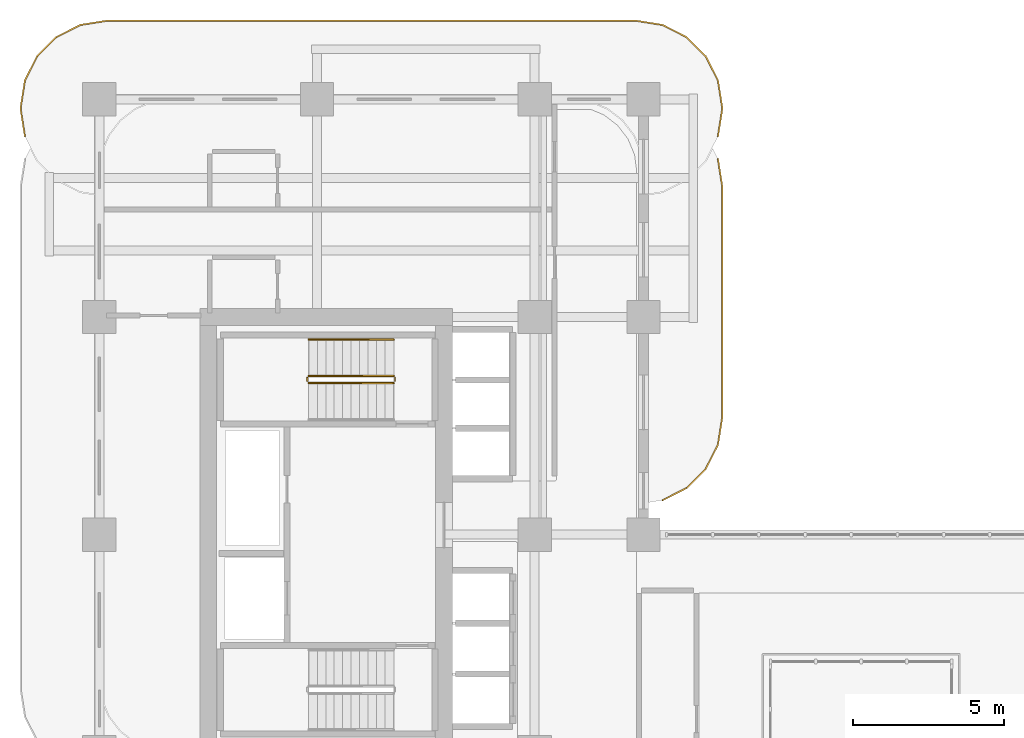
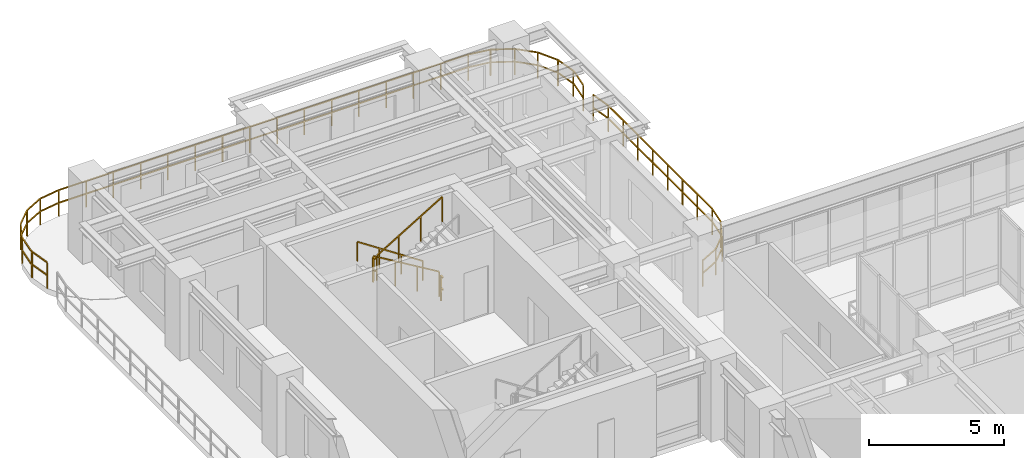
# One storey, part 22 of 22: 7 railings.
"""IFC4 building model written with IfcOpenShell, lengths in metres."""

from ifc_helpers import new_model, si_unit, derived_unit, direction, frame, origin, origin_2d, place, context, subcontext, project, spatial, rectangle, extrude, material, type_object, element, save


model = new_model("IFC4")

# Units and contexts
model_context = context("Model", 3, precision=1e-05, world=origin(), true_north=direction((0.0, 1.0)))
body_context = subcontext(model_context, "Body", "Model", "MODEL_VIEW")
ifc_project = project(units=[si_unit("LENGTHUNIT", "METRE"), si_unit("AREAUNIT", "SQUARE_METRE"), si_unit("VOLUMEUNIT", "CUBIC_METRE"), si_unit("PLANEANGLEUNIT", "RADIAN"), si_unit("MASSUNIT", "GRAM", prefix="KILO"), si_unit("THERMODYNAMICTEMPERATUREUNIT", "KELVIN"), si_unit("POWERUNIT", "WATT"), derived_unit("THERMALTRANSMITTANCEUNIT", [(si_unit("POWERUNIT", "WATT"), 1), (si_unit("AREAUNIT", "SQUARE_METRE"), -1), (si_unit("THERMODYNAMICTEMPERATUREUNIT", "KELVIN"), -1)])], contexts=[model_context])

# Site, building, storey
site_placement = place(None, origin())
site = spatial("IfcSite", under=ifc_project, at=site_placement, CompositionType="ELEMENT")
building_placement = place(site_placement, origin())
building = spatial("IfcBuilding", under=site, at=building_placement, Name="Zahravan Archway Hotel and Residences", CompositionType="ELEMENT")
storey_placement = place(building_placement, frame((0.0, 0.0, 84.199951171875)))
storey = spatial("IfcBuildingStorey", under=building, at=storey_placement, Name="L20", CompositionType="ELEMENT", Elevation=84.199951171875)

# Railings
ifc_material_1 = material(Name="Bronze & Laminated Glass Balustrade", Category="glass")
railing_type_1 = type_object("IfcRailingType", Name="RL-BAL-1200", PredefinedType="BALUSTRADE", material=ifc_material_1)
railing_1_placement = place(storey_placement, frame((-2.46044921875, 45.5693359375, 0.0)))
element("IfcRailing", 1, at=railing_1_placement, inside=storey, type_object=railing_type_1, Name="L20 Balustrade RL-SLB-BAL-L20-NB-1", PredefinedType="BALUSTRADE", context=body_context, shape_type="SweptSolid", body=[
    extrude(rectangle(XDim=0.048095703125, YDim=0.048095703125, at=origin_2d()), frame((0.0, 0.0, 1.17578125), z_axis=(-0.156623399917, 0.987658397726, 0.0), x_axis=(-0.987658397726, -0.156623399917, 0.0)), (0.0, 0.0, 1.0), 0.8916015625),
    extrude(rectangle(XDim=0.048095703125, YDim=0.048095703125, at=origin_2d()), frame((0.0, 0.0, 0.60009765625), z_axis=(-0.156623399917, 0.987658397726, 0.0), x_axis=(-0.987658397726, -0.156623399917, 0.0)), (0.0, 0.0, 1.0), 0.8916015625),
    extrude(rectangle(XDim=0.048095703125, YDim=0.048095703125, at=origin_2d()), frame((-0.1396484375, 0.880615234375, 1.17578125), z_axis=(0.0, 1.0, 0.0), x_axis=(-1.0, 0.0, 0.0)), (0.0, 0.0, 1.0), 0.10009765625),
    extrude(rectangle(XDim=0.048095703125, YDim=0.048095703125, at=origin_2d()), frame((-0.1396484375, 0.880615234375, 0.60009765625), z_axis=(0.0, 1.0, 0.0), x_axis=(-1.0, 0.0, 0.0)), (0.0, 0.0, 1.0), 0.10009765625),
    extrude(rectangle(XDim=0.048095703125, YDim=0.048095703125, at=origin_2d()), frame((-0.1396484375, 0.980712890625, 1.17578125), z_axis=(0.156623399917, 0.987658397726, 0.0), x_axis=(-0.987658397726, 0.156623399917, 0.0)), (0.0, 0.0, 1.0), 0.8916015625),
    extrude(rectangle(XDim=0.048095703125, YDim=0.048095703125, at=origin_2d()), frame((-0.1396484375, 0.980712890625, 0.60009765625), z_axis=(0.156623399917, 0.987658397726, 0.0), x_axis=(-0.987658397726, 0.156623399917, 0.0)), (0.0, 0.0, 1.0), 0.8916015625),
    extrude(rectangle(XDim=0.048095703125, YDim=0.048095703125, at=origin_2d()), frame((0.0, 1.861328125, 1.17578125), z_axis=(0.453991409995, 0.891006060389, 0.0), x_axis=(-0.891006060389, 0.453991409995, 0.0)), (0.0, 0.0, 1.0), 0.8916015625),
    extrude(rectangle(XDim=0.048095703125, YDim=0.048095703125, at=origin_2d()), frame((0.0, 1.861328125, 0.60009765625), z_axis=(0.453991409995, 0.891006060389, 0.0), x_axis=(-0.891006060389, 0.453991409995, 0.0)), (0.0, 0.0, 1.0), 0.8916015625),
    extrude(rectangle(XDim=0.048095703125, YDim=0.048095703125, at=origin_2d()), frame((0.40478515625, 2.65576171875, 1.17578125), z_axis=(0.706969864397, 0.70724367147, 0.0), x_axis=(-0.70724367147, 0.706969864397, 0.0)), (0.0, 0.0, 1.0), 0.8916015625),
    extrude(rectangle(XDim=0.048095703125, YDim=0.048095703125, at=origin_2d()), frame((0.40478515625, 2.65576171875, 0.60009765625), z_axis=(0.706969864397, 0.70724367147, 0.0), x_axis=(-0.70724367147, 0.706969864397, 0.0)), (0.0, 0.0, 1.0), 0.8916015625),
    extrude(rectangle(XDim=0.048095703125, YDim=0.048095703125, at=origin_2d()), frame((1.03515625, 3.286376953125, 1.17578125), z_axis=(0.891062476022, 0.45388067135, 0.0), x_axis=(-0.45388067135, 0.891062476022, 0.0)), (0.0, 0.0, 1.0), 0.891845703125),
    extrude(rectangle(XDim=0.048095703125, YDim=0.048095703125, at=origin_2d()), frame((1.03515625, 3.286376953125, 0.60009765625), z_axis=(0.891062476022, 0.45388067135, 0.0), x_axis=(-0.45388067135, 0.891062476022, 0.0)), (0.0, 0.0, 1.0), 0.891845703125),
    extrude(rectangle(XDim=0.048095703125, YDim=0.048095703125, at=origin_2d()), frame((1.829833984375, 3.691162109375, 1.17578125), z_axis=(0.987700720307, 0.156356282588, 0.0), x_axis=(-0.156356282588, 0.987700720307, 0.0)), (0.0, 0.0, 1.0), 0.8916015625),
    extrude(rectangle(XDim=0.048095703125, YDim=0.048095703125, at=origin_2d()), frame((1.829833984375, 3.691162109375, 0.60009765625), z_axis=(0.987700720307, 0.156356282588, 0.0), x_axis=(-0.156356282588, 0.987700720307, 0.0)), (0.0, 0.0, 1.0), 0.8916015625),
    extrude(rectangle(XDim=0.048095703125, YDim=0.048095703125, at=origin_2d()), frame((2.71044921875, 3.83056640625, 1.17578125), z_axis=(1.0, 0.0, 0.0), x_axis=(0.0, 1.0, 0.0)), (0.0, 0.0, 1.0), 17.5),
    extrude(rectangle(XDim=0.048095703125, YDim=0.048095703125, at=origin_2d()), frame((2.71044921875, 3.83056640625, 0.60009765625), z_axis=(1.0, 0.0, 0.0), x_axis=(0.0, 1.0, 0.0)), (0.0, 0.0, 1.0), 17.5),
    extrude(rectangle(XDim=0.048095703125, YDim=0.048095703125, at=origin_2d()), frame((20.21044921875, 3.83056640625, 1.17578125), z_axis=(0.987700720307, -0.156356282588, 0.0), x_axis=(0.156356282588, 0.987700720307, 0.0)), (0.0, 0.0, 1.0), 0.8916015625),
    extrude(rectangle(XDim=0.048095703125, YDim=0.048095703125, at=origin_2d()), frame((20.21044921875, 3.83056640625, 0.60009765625), z_axis=(0.987700720307, -0.156356282588, 0.0), x_axis=(0.156356282588, 0.987700720307, 0.0)), (0.0, 0.0, 1.0), 0.8916015625),
    extrude(rectangle(XDim=0.048095703125, YDim=0.048095703125, at=origin_2d()), frame((21.091064453125, 3.691162109375, 1.17578125), z_axis=(0.891062476022, -0.45388067135, 0.0), x_axis=(0.45388067135, 0.891062476022, 0.0)), (0.0, 0.0, 1.0), 0.891845703125),
    extrude(rectangle(XDim=0.048095703125, YDim=0.048095703125, at=origin_2d()), frame((21.091064453125, 3.691162109375, 0.60009765625), z_axis=(0.891062476022, -0.45388067135, 0.0), x_axis=(0.45388067135, 0.891062476022, 0.0)), (0.0, 0.0, 1.0), 0.891845703125),
    extrude(rectangle(XDim=0.048095703125, YDim=0.048095703125, at=origin_2d()), frame((21.8857421875, 3.286376953125, 1.17578125), z_axis=(0.706969864397, -0.70724367147, 0.0), x_axis=(0.70724367147, 0.706969864397, 0.0)), (0.0, 0.0, 1.0), 0.8916015625),
    extrude(rectangle(XDim=0.048095703125, YDim=0.048095703125, at=origin_2d()), frame((21.8857421875, 3.286376953125, 0.60009765625), z_axis=(0.706969864397, -0.70724367147, 0.0), x_axis=(0.70724367147, 0.706969864397, 0.0)), (0.0, 0.0, 1.0), 0.8916015625),
    extrude(rectangle(XDim=0.048095703125, YDim=0.048095703125, at=origin_2d()), frame((22.51611328125, 2.65576171875, 1.17578125), z_axis=(0.453991409995, -0.891006060389, 0.0), x_axis=(0.891006060389, 0.453991409995, 0.0)), (0.0, 0.0, 1.0), 0.8916015625),
    extrude(rectangle(XDim=0.048095703125, YDim=0.048095703125, at=origin_2d()), frame((22.51611328125, 2.65576171875, 0.60009765625), z_axis=(0.453991409995, -0.891006060389, 0.0), x_axis=(0.891006060389, 0.453991409995, 0.0)), (0.0, 0.0, 1.0), 0.8916015625),
    extrude(rectangle(XDim=0.048095703125, YDim=0.048095703125, at=origin_2d()), frame((22.9208984375, 1.861328125, 1.17578125), z_axis=(0.156623399917, -0.987658397726, 0.0), x_axis=(0.987658397726, 0.156623399917, 0.0)), (0.0, 0.0, 1.0), 0.8916015625),
    extrude(rectangle(XDim=0.048095703125, YDim=0.048095703125, at=origin_2d()), frame((22.9208984375, 1.861328125, 0.60009765625), z_axis=(0.156623399917, -0.987658397726, 0.0), x_axis=(0.987658397726, 0.156623399917, 0.0)), (0.0, 0.0, 1.0), 0.8916015625),
    extrude(rectangle(XDim=0.048095703125, YDim=0.048095703125, at=origin_2d()), frame((23.060546875, 0.980712890625, 1.17578125), z_axis=(0.0, -1.0, 0.0), x_axis=(1.0, 0.0, 0.0)), (0.0, 0.0, 1.0), 0.10009765625),
    extrude(rectangle(XDim=0.048095703125, YDim=0.048095703125, at=origin_2d()), frame((23.060546875, 0.980712890625, 0.60009765625), z_axis=(0.0, -1.0, 0.0), x_axis=(1.0, 0.0, 0.0)), (0.0, 0.0, 1.0), 0.10009765625),
    extrude(rectangle(XDim=0.048095703125, YDim=0.048095703125, at=origin_2d()), frame((23.060546875, 0.880615234375, 1.17578125), z_axis=(-0.156623399917, -0.987658397726, 0.0), x_axis=(0.987658397726, -0.156623399917, 0.0)), (0.0, 0.0, 1.0), 0.8916015625),
    extrude(rectangle(XDim=0.048095703125, YDim=0.048095703125, at=origin_2d()), frame((23.060546875, 0.880615234375, 0.60009765625), z_axis=(-0.156623399917, -0.987658397726, 0.0), x_axis=(0.987658397726, -0.156623399917, 0.0)), (0.0, 0.0, 1.0), 0.8916015625),
    extrude(rectangle(XDim=0.0419921875, YDim=0.0419921875, at=origin_2d()), origin(), (0.0, 0.0, 1.0), 1.15185546875),
    extrude(rectangle(XDim=0.0419921875, YDim=0.0419921875, at=origin_2d()), frame((-0.1396484375, 0.880615234375, 0.0)), (0.0, 0.0, 1.0), 1.15185546875),
    extrude(rectangle(XDim=0.0419921875, YDim=0.0419921875, at=origin_2d()), frame((0.0, 1.861328125, 0.0)), (0.0, 0.0, 1.0), 1.15185546875),
    extrude(rectangle(XDim=0.0419921875, YDim=0.0419921875, at=origin_2d()), frame((0.40478515625, 2.65576171875, 0.0)), (0.0, 0.0, 1.0), 1.15185546875),
    extrude(rectangle(XDim=0.0419921875, YDim=0.0419921875, at=origin_2d()), frame((1.03515625, 3.286376953125, 0.0)), (0.0, 0.0, 1.0), 1.15185546875),
    extrude(rectangle(XDim=0.0419921875, YDim=0.0419921875, at=origin_2d()), frame((1.829833984375, 3.691162109375, 0.0)), (0.0, 0.0, 1.0), 1.15185546875),
    extrude(rectangle(XDim=0.0419921875, YDim=0.0419921875, at=origin_2d()), frame((2.71044921875, 3.83056640625, 0.0)), (0.0, 0.0, 1.0), 1.15185546875),
    extrude(rectangle(XDim=0.0419921875, YDim=0.0419921875, at=origin_2d()), frame((3.877197265625, 3.83056640625, 0.0)), (0.0, 0.0, 1.0), 1.15185546875),
    extrude(rectangle(XDim=0.0419921875, YDim=0.0419921875, at=origin_2d()), frame((5.043701171875, 3.83056640625, 0.0)), (0.0, 0.0, 1.0), 1.15185546875),
    extrude(rectangle(XDim=0.0419921875, YDim=0.0419921875, at=origin_2d()), frame((6.21044921875, 3.83056640625, 0.0)), (0.0, 0.0, 1.0), 1.15185546875),
    extrude(rectangle(XDim=0.0419921875, YDim=0.0419921875, at=origin_2d()), frame((7.377197265625, 3.83056640625, 0.0)), (0.0, 0.0, 1.0), 1.15185546875),
    extrude(rectangle(XDim=0.0419921875, YDim=0.0419921875, at=origin_2d()), frame((8.543701171875, 3.83056640625, 0.0)), (0.0, 0.0, 1.0), 1.15185546875),
    extrude(rectangle(XDim=0.0419921875, YDim=0.0419921875, at=origin_2d()), frame((9.71044921875, 3.83056640625, 0.0)), (0.0, 0.0, 1.0), 1.15185546875),
    extrude(rectangle(XDim=0.0419921875, YDim=0.0419921875, at=origin_2d()), frame((10.877197265625, 3.83056640625, 0.0)), (0.0, 0.0, 1.0), 1.15185546875),
    extrude(rectangle(XDim=0.0419921875, YDim=0.0419921875, at=origin_2d()), frame((12.043701171875, 3.83056640625, 0.0)), (0.0, 0.0, 1.0), 1.15185546875),
    extrude(rectangle(XDim=0.0419921875, YDim=0.0419921875, at=origin_2d()), frame((13.21044921875, 3.83056640625, 0.0)), (0.0, 0.0, 1.0), 1.15185546875),
    extrude(rectangle(XDim=0.0419921875, YDim=0.0419921875, at=origin_2d()), frame((14.377197265625, 3.83056640625, 0.0)), (0.0, 0.0, 1.0), 1.15185546875),
    extrude(rectangle(XDim=0.0419921875, YDim=0.0419921875, at=origin_2d()), frame((15.543701171875, 3.83056640625, 0.0)), (0.0, 0.0, 1.0), 1.15185546875),
    extrude(rectangle(XDim=0.0419921875, YDim=0.0419921875, at=origin_2d()), frame((16.71044921875, 3.83056640625, 0.0)), (0.0, 0.0, 1.0), 1.15185546875),
    extrude(rectangle(XDim=0.0419921875, YDim=0.0419921875, at=origin_2d()), frame((17.877197265625, 3.83056640625, 0.0)), (0.0, 0.0, 1.0), 1.15185546875),
    extrude(rectangle(XDim=0.0419921875, YDim=0.0419921875, at=origin_2d()), frame((19.043701171875, 3.83056640625, 0.0)), (0.0, 0.0, 1.0), 1.15185546875),
    extrude(rectangle(XDim=0.0419921875, YDim=0.0419921875, at=origin_2d()), frame((20.21044921875, 3.83056640625, 0.0)), (0.0, 0.0, 1.0), 1.15185546875),
    extrude(rectangle(XDim=0.0419921875, YDim=0.0419921875, at=origin_2d()), frame((21.091064453125, 3.691162109375, 0.0)), (0.0, 0.0, 1.0), 1.15185546875),
    extrude(rectangle(XDim=0.0419921875, YDim=0.0419921875, at=origin_2d()), frame((21.8857421875, 3.286376953125, 0.0)), (0.0, 0.0, 1.0), 1.15185546875),
    extrude(rectangle(XDim=0.0419921875, YDim=0.0419921875, at=origin_2d()), frame((22.51611328125, 2.65576171875, 0.0)), (0.0, 0.0, 1.0), 1.15185546875),
    extrude(rectangle(XDim=0.0419921875, YDim=0.0419921875, at=origin_2d()), frame((22.9208984375, 1.861328125, 0.0)), (0.0, 0.0, 1.0), 1.15185546875),
    extrude(rectangle(XDim=0.0419921875, YDim=0.0419921875, at=origin_2d()), frame((23.060546875, 0.980712890625, 0.0)), (0.0, 0.0, 1.0), 1.15185546875),
    extrude(rectangle(XDim=0.0419921875, YDim=0.0419921875, at=origin_2d()), frame((22.9208984375, 0.0, 0.0)), (0.0, 0.0, 1.0), 1.15185546875),
])
railing_2_placement = place(storey_placement, frame((20.46044921875, 44.830810546875, 0.0)))
element("IfcRailing", 2, at=railing_2_placement, inside=storey, type_object=railing_type_1, Name="L20 Balustrade RL-SLB-BAL-L20-EB-1", PredefinedType="BALUSTRADE", context=body_context, shape_type="SweptSolid", body=[
    extrude(rectangle(XDim=0.048095703125, YDim=0.048095703125, at=origin_2d()), frame((0.0, 0.0, 1.17578125), z_axis=(0.156581054338, -0.98766511198, 0.0), x_axis=(0.98766511198, 0.156581054338, 0.0)), (0.0, 0.0, 1.0), 0.891845703125),
    extrude(rectangle(XDim=0.048095703125, YDim=0.048095703125, at=origin_2d()), frame((0.0, 0.0, 0.60009765625), z_axis=(0.156581054338, -0.98766511198, 0.0), x_axis=(0.98766511198, 0.156581054338, 0.0)), (0.0, 0.0, 1.0), 0.891845703125),
    extrude(rectangle(XDim=0.048095703125, YDim=0.048095703125, at=origin_2d()), frame((0.1396484375, -0.880859375, 1.17578125), z_axis=(0.0, -1.0, 0.0), x_axis=(1.0, 0.0, 0.0)), (0.0, 0.0, 1.0), 7.699951171875),
    extrude(rectangle(XDim=0.048095703125, YDim=0.048095703125, at=origin_2d()), frame((0.1396484375, -0.880859375, 0.60009765625), z_axis=(0.0, -1.0, 0.0), x_axis=(1.0, 0.0, 0.0)), (0.0, 0.0, 1.0), 7.699951171875),
    extrude(rectangle(XDim=0.048095703125, YDim=0.048095703125, at=origin_2d()), frame((0.1396484375, -8.580810546875, 1.17578125), z_axis=(-0.156623399917, -0.987658397726, 0.0), x_axis=(0.987658397726, -0.156623399917, 0.0)), (0.0, 0.0, 1.0), 0.8916015625),
    extrude(rectangle(XDim=0.048095703125, YDim=0.048095703125, at=origin_2d()), frame((0.1396484375, -8.580810546875, 0.60009765625), z_axis=(-0.156623399917, -0.987658397726, 0.0), x_axis=(0.987658397726, -0.156623399917, 0.0)), (0.0, 0.0, 1.0), 0.8916015625),
    extrude(rectangle(XDim=0.048095703125, YDim=0.048095703125, at=origin_2d()), frame((0.0, -9.46142578125, 1.17578125), z_axis=(-0.45388067135, -0.891062476022, 0.0), x_axis=(0.891062476022, -0.45388067135, 0.0)), (0.0, 0.0, 1.0), 0.891845703125),
    extrude(rectangle(XDim=0.048095703125, YDim=0.048095703125, at=origin_2d()), frame((0.0, -9.46142578125, 0.60009765625), z_axis=(-0.45388067135, -0.891062476022, 0.0), x_axis=(0.891062476022, -0.45388067135, 0.0)), (0.0, 0.0, 1.0), 0.891845703125),
    extrude(rectangle(XDim=0.048095703125, YDim=0.048095703125, at=origin_2d()), frame((-0.40478515625, -10.256103515625, 1.17578125), z_axis=(-0.707106781187, -0.707106781187, 0.0), x_axis=(0.707106781187, -0.707106781187, 0.0)), (0.0, 0.0, 1.0), 0.891357421875),
    extrude(rectangle(XDim=0.048095703125, YDim=0.048095703125, at=origin_2d()), frame((-0.40478515625, -10.256103515625, 0.60009765625), z_axis=(-0.707106781187, -0.707106781187, 0.0), x_axis=(0.707106781187, -0.707106781187, 0.0)), (0.0, 0.0, 1.0), 0.891357421875),
    extrude(rectangle(XDim=0.048095703125, YDim=0.048095703125, at=origin_2d()), frame((-1.03515625, -10.886474609375, 1.17578125), z_axis=(-0.891062476022, -0.45388067135, 0.0), x_axis=(0.45388067135, -0.891062476022, 0.0)), (0.0, 0.0, 1.0), 0.891845703125),
    extrude(rectangle(XDim=0.048095703125, YDim=0.048095703125, at=origin_2d()), frame((-1.03515625, -10.886474609375, 0.60009765625), z_axis=(-0.891062476022, -0.45388067135, 0.0), x_axis=(0.45388067135, -0.891062476022, 0.0)), (0.0, 0.0, 1.0), 0.891845703125),
    extrude(rectangle(XDim=0.0419921875, YDim=0.0419921875, at=origin_2d()), origin(), (0.0, 0.0, 1.0), 1.15185546875),
    extrude(rectangle(XDim=0.0419921875, YDim=0.0419921875, at=origin_2d()), frame((0.1396484375, -0.880859375, 0.0)), (0.0, 0.0, 1.0), 1.15185546875),
    extrude(rectangle(XDim=0.0419921875, YDim=0.0419921875, at=origin_2d()), frame((0.1396484375, -1.98095703125, 0.0)), (0.0, 0.0, 1.0), 1.15185546875),
    extrude(rectangle(XDim=0.0419921875, YDim=0.0419921875, at=origin_2d()), frame((0.1396484375, -3.080810546875, 0.0)), (0.0, 0.0, 1.0), 1.15185546875),
    extrude(rectangle(XDim=0.0419921875, YDim=0.0419921875, at=origin_2d()), frame((0.1396484375, -4.180908203125, 0.0)), (0.0, 0.0, 1.0), 1.15185546875),
    extrude(rectangle(XDim=0.0419921875, YDim=0.0419921875, at=origin_2d()), frame((0.1396484375, -5.28076171875, 0.0)), (0.0, 0.0, 1.0), 1.15185546875),
    extrude(rectangle(XDim=0.0419921875, YDim=0.0419921875, at=origin_2d()), frame((0.1396484375, -6.380859375, 0.0)), (0.0, 0.0, 1.0), 1.15185546875),
    extrude(rectangle(XDim=0.0419921875, YDim=0.0419921875, at=origin_2d()), frame((0.1396484375, -7.480712890625, 0.0)), (0.0, 0.0, 1.0), 1.15185546875),
    extrude(rectangle(XDim=0.0419921875, YDim=0.0419921875, at=origin_2d()), frame((0.1396484375, -8.580810546875, 0.0)), (0.0, 0.0, 1.0), 1.15185546875),
    extrude(rectangle(XDim=0.0419921875, YDim=0.0419921875, at=origin_2d()), frame((0.0, -9.46142578125, 0.0)), (0.0, 0.0, 1.0), 1.15185546875),
    extrude(rectangle(XDim=0.0419921875, YDim=0.0419921875, at=origin_2d()), frame((-0.40478515625, -10.256103515625, 0.0)), (0.0, 0.0, 1.0), 1.15185546875),
    extrude(rectangle(XDim=0.0419921875, YDim=0.0419921875, at=origin_2d()), frame((-1.03515625, -10.886474609375, 0.0)), (0.0, 0.0, 1.0), 1.15185546875),
    extrude(rectangle(XDim=0.0419921875, YDim=0.0419921875, at=origin_2d()), frame((-1.829833984375, -11.291259765625, 0.0)), (0.0, 0.0, 1.0), 1.15185546875),
])
ifc_material_2 = material(Name="Painted Tubular Steel", Category="steel")
railing_type_2 = type_object("IfcRailingType", Name="RL-STG-1150", PredefinedType="GUARDRAIL", material=ifc_material_2)
railing_3_placement = place(storey_placement, frame((9.72998046875, 37.64990234375, 0.168212890625)))
element("IfcRailing", 3, at=railing_3_placement, inside=storey, type_object=railing_type_2, Name="L20 ST-B2 stair guard 1", PredefinedType="GUARDRAIL", context=body_context, shape_type="SweptSolid", body=[
    extrude(rectangle(XDim=0.048095703125, YDim=0.048095703125, at=origin_2d()), frame((0.0, 0.0, 1.1259765625), z_axis=(-0.857242210791, 0.0, 0.514913383045), x_axis=(0.0, -1.0, 0.0)), (0.0, 0.0, 1.0), 3.266357421875),
    extrude(rectangle(XDim=0.0419921875, YDim=0.0419921875, at=origin_2d()), origin(), (0.0, 0.0, 1.0), 1.101806640625),
    extrude(rectangle(XDim=0.0419921875, YDim=0.0419921875, at=origin_2d()), frame((-0.933349609375, 0.0, 0.560546875)), (0.0, 0.0, 1.0), 1.101806640625),
    extrude(rectangle(XDim=0.0419921875, YDim=0.0419921875, at=origin_2d()), frame((-1.86669921875, 0.0, 1.121337890625)), (0.0, 0.0, 1.0), 1.101806640625),
    extrude(rectangle(XDim=0.0419921875, YDim=0.0419921875, at=origin_2d()), frame((-2.800048828125, 0.0, 1.681884765625)), (0.0, 0.0, 1.0), 1.101806640625),
])
railing_4_placement = place(storey_placement, frame((6.8798828125, 37.60009765625, 1.85009765625)))
element("IfcRailing", 4, at=railing_4_placement, inside=storey, type_object=railing_type_2, Name="L20 ST-B2 stair guard 2", PredefinedType="GUARDRAIL", context=body_context, shape_type="SweptSolid", body=[
    extrude(rectangle(XDim=0.048095703125, YDim=0.048095703125, at=origin_2d()), frame((0.0, 0.0, 1.1259765625), z_axis=(0.0, -1.0, 0.0), x_axis=(1.0, 0.0, 0.0)), (0.0, 0.0, 1.0), 0.14013671875),
    extrude(rectangle(XDim=0.048095703125, YDim=0.048095703125, at=origin_2d()), frame((0.0, 0.0, 0.574951171875), z_axis=(0.0, -1.0, 0.0), x_axis=(1.0, 0.0, 0.0)), (0.0, 0.0, 1.0), 0.14013671875),
    extrude(rectangle(XDim=0.0419921875, YDim=0.0419921875, at=origin_2d()), origin(), (0.0, 0.0, 1.0), 1.101806640625),
])
railing_5_placement = place(storey_placement, frame((6.929931640625, 37.409912109375, 2.018310546875)))
element("IfcRailing", 5, at=railing_5_placement, inside=storey, type_object=railing_type_2, Name="L20 ST-B2 stair guard 3", PredefinedType="GUARDRAIL", context=body_context, shape_type="SweptSolid", body=[
    extrude(rectangle(XDim=0.048095703125, YDim=0.048095703125, at=origin_2d()), frame((0.0, 0.0, 1.1259765625), z_axis=(0.857275202839, 0.0, 0.514858452973), x_axis=(0.0, 1.0, 0.0)), (0.0, 0.0, 1.0), 3.26611328125),
    extrude(rectangle(XDim=0.0419921875, YDim=0.0419921875, at=origin_2d()), origin(), (0.0, 0.0, 1.0), 1.101806640625),
    extrude(rectangle(XDim=0.0419921875, YDim=0.0419921875, at=origin_2d()), frame((0.933349609375, 0.0, 0.560546875)), (0.0, 0.0, 1.0), 1.101806640625),
    extrude(rectangle(XDim=0.0419921875, YDim=0.0419921875, at=origin_2d()), frame((1.86669921875, 0.0, 1.12109375)), (0.0, 0.0, 1.0), 1.101806640625),
    extrude(rectangle(XDim=0.0419921875, YDim=0.0419921875, at=origin_2d()), frame((2.800048828125, 0.0, 1.681640625)), (0.0, 0.0, 1.0), 1.101806640625),
])
railing_6_placement = place(storey_placement, frame((9.780029296875, 37.60009765625, 0.0)))
element("IfcRailing", 6, at=railing_6_placement, inside=storey, type_object=railing_type_2, Name="L20 ST-B2 stair guard 4", PredefinedType="GUARDRAIL", context=body_context, shape_type="SweptSolid", body=[
    extrude(rectangle(XDim=0.048095703125, YDim=0.048095703125, at=origin_2d()), frame((0.0, 0.0, 1.1259765625), z_axis=(0.0, -1.0, 0.0), x_axis=(1.0, 0.0, 0.0)), (0.0, 0.0, 1.0), 0.14013671875),
    extrude(rectangle(XDim=0.048095703125, YDim=0.048095703125, at=origin_2d()), frame((0.0, 0.0, 0.574951171875), z_axis=(0.0, -1.0, 0.0), x_axis=(1.0, 0.0, 0.0)), (0.0, 0.0, 1.0), 0.14013671875),
    extrude(rectangle(XDim=0.0419921875, YDim=0.0419921875, at=origin_2d()), origin(), (0.0, 0.0, 1.0), 1.101806640625),
])
ifc_material_3 = material(Name="Brushed Stainless Steel", Category="steel")
railing_type_3 = type_object("IfcRailingType", Name="RL-STH-900", PredefinedType="HANDRAIL", material=ifc_material_3)
railing_7_placement = place(storey_placement, frame((9.72998046875, 38.85009765625, 0.168212890625)))
element("IfcRailing", 7, at=railing_7_placement, inside=storey, type_object=railing_type_3, Name="L20 ST-B2 stair handrail 1", PredefinedType="HANDRAIL", context=body_context, shape_type="SweptSolid", body=[
    extrude(rectangle(XDim=0.048095703125, YDim=0.048095703125, at=origin_2d()), frame((0.0, 0.0, 0.8759765625), z_axis=(-0.834326358476, 0.0, 0.551270829586), x_axis=(0.0, -1.0, 0.0)), (0.0, 0.0, 1.0), 3.35595703125),
    extrude(rectangle(XDim=0.0419921875, YDim=0.0419921875, at=origin_2d()), origin(), (0.0, 0.0, 1.0), 0.851806640625),
    extrude(rectangle(XDim=0.0419921875, YDim=0.0419921875, at=origin_2d()), frame((-0.933349609375, 0.0, 0.61669921875)), (0.0, 0.0, 1.0), 0.851806640625),
    extrude(rectangle(XDim=0.0419921875, YDim=0.0419921875, at=origin_2d()), frame((-1.86669921875, 0.0, 1.2333984375)), (0.0, 0.0, 1.0), 0.851806640625),
    extrude(rectangle(XDim=0.0419921875, YDim=0.0419921875, at=origin_2d()), frame((-2.800048828125, 0.0, 1.85009765625)), (0.0, 0.0, 1.0), 0.851806640625),
])

save(model, "model.ifc")
